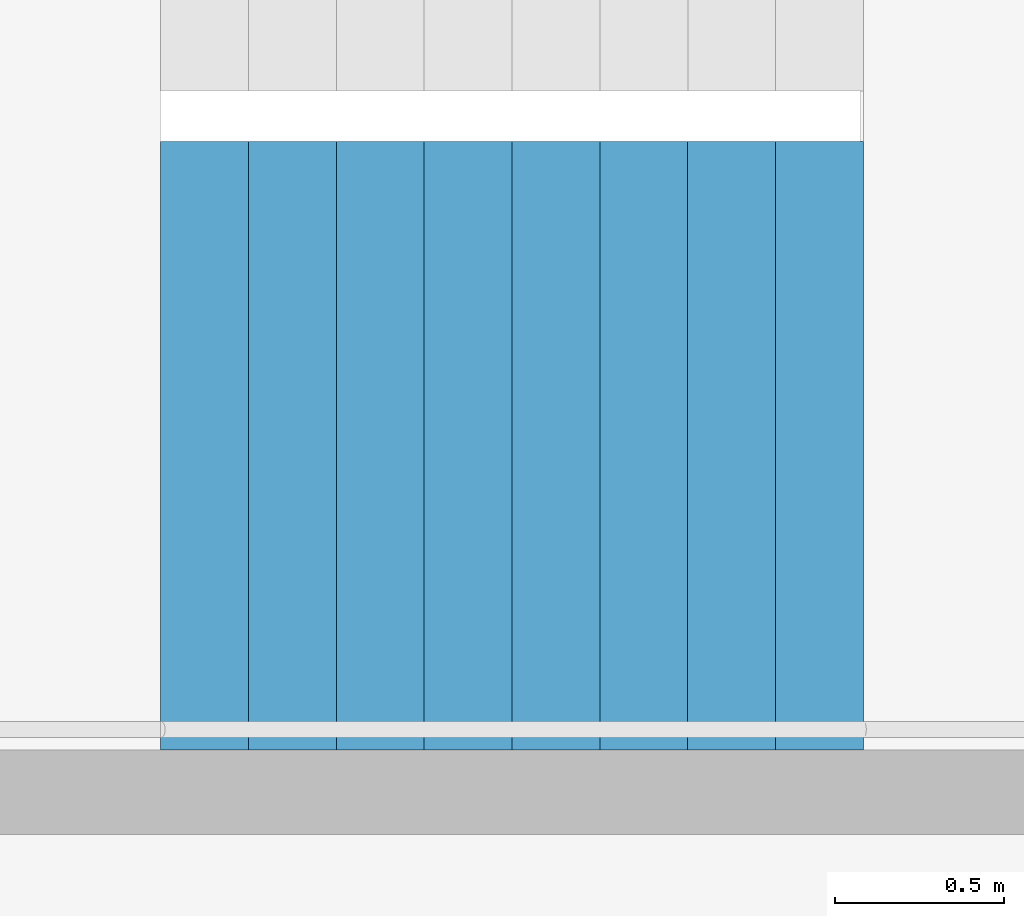
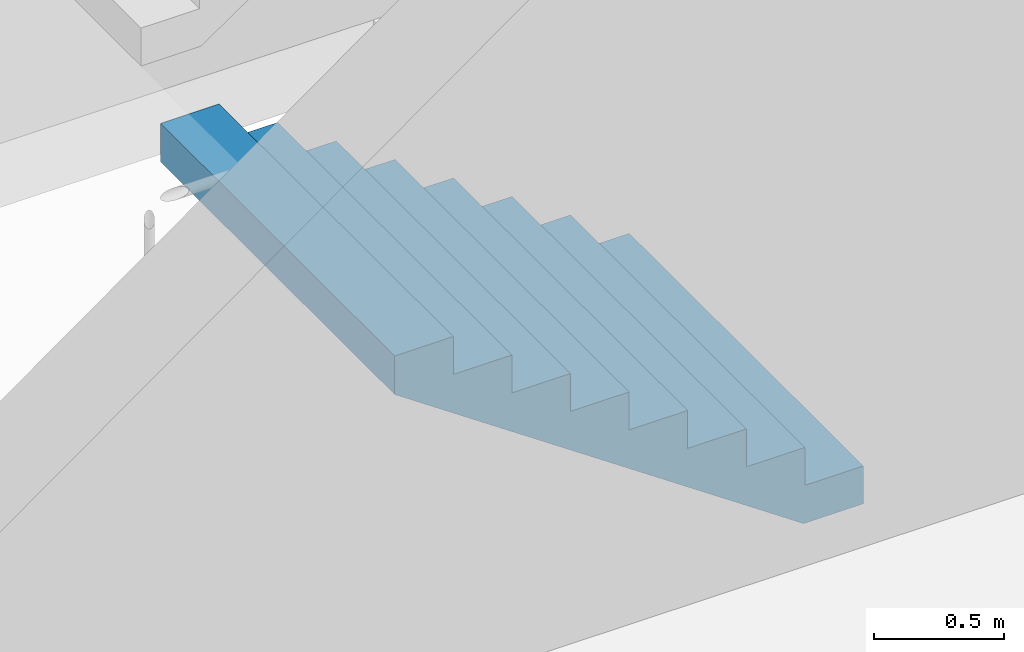
# One storey, part 28 of 42: 1 stair flight, 1 element without a shape of its own.
"""IFC4 building model written with IfcOpenShell, lengths in metres."""

from ifc_helpers import new_model, si_unit, direction, frame, origin, place, context, subcontext, project, spatial, triangles, material, type_object, element, aggregate, save


model = new_model("IFC4")

# Units and contexts
model_context = context("Model", 3, precision=1e-05, world=origin(), true_north=direction((0.0, 1.0)))
body_context = subcontext(model_context, "Body", "Model", "MODEL_VIEW")
ifc_project = project(units=[si_unit("LENGTHUNIT", "METRE"), si_unit("AREAUNIT", "SQUARE_METRE"), si_unit("VOLUMEUNIT", "CUBIC_METRE"), si_unit("PLANEANGLEUNIT", "RADIAN"), si_unit("MASSUNIT", "GRAM", prefix="KILO")], contexts=[model_context])

# Site, building, storey
site_placement = place(None, origin())
site = spatial("IfcSite", under=ifc_project, at=site_placement, CompositionType="ELEMENT")
building_placement = place(site_placement, origin())
building = spatial("IfcBuilding", under=site, at=building_placement, Name="Hakoniwa Tower and Hamabe Station Hall", CompositionType="ELEMENT")
storey_placement = place(building_placement, frame((0.0, 0.0, 232.60009765625)))
storey = spatial("IfcBuildingStorey", under=building, at=storey_placement, Name="L66", CompositionType="ELEMENT", Elevation=232.60009765625)

# Stair, stair flight
ifc_material_1 = material(Name="Concrete C40", Category="concrete")
stair_type = type_object("IfcStairType", Name="ESCAPE STAIR 1800", PredefinedType="HALF_TURN_STAIR", material=ifc_material_1)
stair_placement = place(storey_placement, origin())
stair = element("IfcStair", 1, at=stair_placement, inside=storey, type_object=stair_type, Name="Escape stair ST-3 L66", PredefinedType="HALF_TURN_STAIR")
ifc_material_2 = material(Name="Concrete C40", Category="concrete")
stair_flight_type = type_object("IfcStairFlightType", Name="STAIR FLIGHT 1800", PredefinedType="STRAIGHT", material=ifc_material_2)
stair_flight_placement = place(storey_placement, frame((24.39990234375, 4.64990234375, 0.0), z_axis=(0.0, 0.0, 1.0), x_axis=(-1.0, 0.0, 0.0)))
stair_flight = element("IfcStairFlight", 2, at=stair_flight_placement, type_object=stair_flight_type, Name="ST-3 flight 1", NumberOfRisers=9, NumberOfTreads=8, PredefinedType="STRAIGHT", RiserHeight=0.177777778, TreadLength=0.26, context=body_context, shape_type="Tessellation", body=[
    triangles([(0.0, 0.89990234375, 0.0), (0.260009765625, 0.89990234375, 0.0), (0.265625, 0.89990234375, 0.0), (0.52001953125, 0.89990234375, 0.174072265625), (0.780029296875, 0.89990234375, 0.351806640625), (1.0400390625, 0.89990234375, 0.529541015625), (1.300048828125, 0.89990234375, 0.707275390625), (1.56005859375, 0.89990234375, 0.885009765625), (1.820068359375, 0.89990234375, 1.062744140625), (2.080078125, 0.89990234375, 1.24072265625), (2.080078125, 0.89990234375, 1.422119140625), (1.820068359375, 0.89990234375, 1.422119140625), (1.820068359375, 0.89990234375, 1.244384765625), (1.56005859375, 0.89990234375, 1.244384765625), (1.56005859375, 0.89990234375, 1.066650390625), (1.300048828125, 0.89990234375, 1.066650390625), (1.300048828125, 0.89990234375, 0.888916015625), (1.0400390625, 0.89990234375, 0.888916015625), (1.0400390625, 0.89990234375, 0.711181640625), (0.780029296875, 0.89990234375, 0.711181640625), (0.780029296875, 0.89990234375, 0.533447265625), (0.52001953125, 0.89990234375, 0.533447265625), (0.52001953125, 0.89990234375, 0.35546875), (0.265625, 0.89990234375, 0.35546875), (0.260009765625, 0.89990234375, 0.35546875), (0.260009765625, 0.89990234375, 0.177734375), (0.0, 0.89990234375, 0.177734375), (0.0, 0.06005859375, 0.0), (0.260009765625, 0.06005859375, 0.0), (0.265625, 0.06005859375, 0.0), (0.52001953125, 0.06005859375, 0.174072265625), (0.780029296875, 0.06005859375, 0.351806640625), (1.0400390625, 0.06005859375, 0.529541015625), (1.300048828125, 0.06005859375, 0.707275390625), (1.56005859375, 0.06005859375, 0.885009765625), (1.820068359375, 0.06005859375, 1.062744140625), (2.080078125, 0.06005859375, 1.24072265625), (2.080078125, 0.06005859375, 1.422119140625), (1.820068359375, 0.06005859375, 1.422119140625), (1.820068359375, 0.06005859375, 1.244384765625), (1.56005859375, 0.06005859375, 1.244384765625), (1.56005859375, 0.06005859375, 1.066650390625), (1.300048828125, 0.06005859375, 1.066650390625), (1.300048828125, 0.06005859375, 0.888916015625), (1.0400390625, 0.06005859375, 0.888916015625), (1.0400390625, 0.06005859375, 0.711181640625), (0.780029296875, 0.06005859375, 0.711181640625), (0.780029296875, 0.06005859375, 0.533447265625), (0.52001953125, 0.06005859375, 0.533447265625), (0.52001953125, 0.06005859375, 0.35546875), (0.265625, 0.06005859375, 0.35546875), (0.260009765625, 0.06005859375, 0.35546875), (0.260009765625, 0.06005859375, 0.177734375), (0.0, 0.06005859375, 0.177734375), (0.0, 0.04296875, 0.0), (0.260009765625, 0.04296875, 0.0), (0.265625, 0.04296875, 0.0), (0.52001953125, 0.04296875, 0.174072265625), (0.780029296875, 0.04296875, 0.351806640625), (1.0400390625, 0.04296875, 0.529541015625), (1.300048828125, 0.04296875, 0.707275390625), (1.56005859375, 0.04296875, 0.885009765625), (1.820068359375, 0.04296875, 1.062744140625), (2.080078125, 0.04296875, 1.24072265625), (2.080078125, 0.04296875, 1.422119140625), (1.820068359375, 0.04296875, 1.422119140625), (1.820068359375, 0.04296875, 1.244384765625), (1.56005859375, 0.04296875, 1.244384765625), (1.56005859375, 0.04296875, 1.066650390625), (1.300048828125, 0.04296875, 1.066650390625), (1.300048828125, 0.04296875, 0.888916015625), (1.0400390625, 0.04296875, 0.888916015625), (1.0400390625, 0.04296875, 0.711181640625), (0.780029296875, 0.04296875, 0.711181640625), (0.780029296875, 0.04296875, 0.533447265625), (0.52001953125, 0.04296875, 0.533447265625), (0.52001953125, 0.04296875, 0.35546875), (0.265625, 0.04296875, 0.35546875), (0.260009765625, 0.04296875, 0.35546875), (0.260009765625, 0.04296875, 0.177734375), (0.0, 0.04296875, 0.177734375), (0.0, 0.025634765625, 0.0), (0.260009765625, 0.025634765625, 0.0), (0.265625, 0.025634765625, 0.0), (0.52001953125, 0.025634765625, 0.174072265625), (0.780029296875, 0.025634765625, 0.351806640625), (1.0400390625, 0.025634765625, 0.529541015625), (1.300048828125, 0.025634765625, 0.707275390625), (1.56005859375, 0.025634765625, 0.885009765625), (1.820068359375, 0.025634765625, 1.062744140625), (2.080078125, 0.025634765625, 1.24072265625), (2.080078125, 0.025634765625, 1.422119140625), (1.820068359375, 0.025634765625, 1.422119140625), (1.820068359375, 0.025634765625, 1.244384765625), (1.56005859375, 0.025634765625, 1.244384765625), (1.56005859375, 0.025634765625, 1.066650390625), (1.300048828125, 0.025634765625, 1.066650390625), (1.300048828125, 0.025634765625, 0.888916015625), (1.0400390625, 0.025634765625, 0.888916015625), (1.0400390625, 0.025634765625, 0.711181640625), (0.780029296875, 0.025634765625, 0.711181640625), (0.780029296875, 0.025634765625, 0.533447265625), (0.52001953125, 0.025634765625, 0.533447265625), (0.52001953125, 0.025634765625, 0.35546875), (0.265625, 0.025634765625, 0.35546875), (0.260009765625, 0.025634765625, 0.35546875), (0.260009765625, 0.025634765625, 0.177734375), (0.0, 0.025634765625, 0.177734375), (0.0, 0.008544921875, 0.0), (0.260009765625, 0.008544921875, 0.0), (0.265625, 0.008544921875, 0.0), (0.52001953125, 0.008544921875, 0.174072265625), (0.780029296875, 0.008544921875, 0.351806640625), (1.0400390625, 0.008544921875, 0.529541015625), (1.300048828125, 0.008544921875, 0.707275390625), (1.56005859375, 0.008544921875, 0.885009765625), (1.820068359375, 0.008544921875, 1.062744140625), (2.080078125, 0.008544921875, 1.24072265625), (2.080078125, 0.008544921875, 1.422119140625), (1.820068359375, 0.008544921875, 1.422119140625), (1.820068359375, 0.008544921875, 1.244384765625), (1.56005859375, 0.008544921875, 1.244384765625), (1.56005859375, 0.008544921875, 1.066650390625), (1.300048828125, 0.008544921875, 1.066650390625), (1.300048828125, 0.008544921875, 0.888916015625), (1.0400390625, 0.008544921875, 0.888916015625), (1.0400390625, 0.008544921875, 0.711181640625), (0.780029296875, 0.008544921875, 0.711181640625), (0.780029296875, 0.008544921875, 0.533447265625), (0.52001953125, 0.008544921875, 0.533447265625), (0.52001953125, 0.008544921875, 0.35546875), (0.265625, 0.008544921875, 0.35546875), (0.260009765625, 0.008544921875, 0.35546875), (0.260009765625, 0.008544921875, 0.177734375), (0.0, 0.008544921875, 0.177734375), (0.0, -0.008544921875, 0.0), (0.260009765625, -0.008544921875, 0.0), (0.265625, -0.008544921875, 0.0), (0.52001953125, -0.008544921875, 0.174072265625), (0.780029296875, -0.008544921875, 0.351806640625), (1.0400390625, -0.008544921875, 0.529541015625), (1.300048828125, -0.008544921875, 0.707275390625), (1.56005859375, -0.008544921875, 0.885009765625), (1.820068359375, -0.008544921875, 1.062744140625), (2.080078125, -0.008544921875, 1.24072265625), (2.080078125, -0.008544921875, 1.422119140625), (1.820068359375, -0.008544921875, 1.422119140625), (1.820068359375, -0.008544921875, 1.244384765625), (1.56005859375, -0.008544921875, 1.244384765625), (1.56005859375, -0.008544921875, 1.066650390625), (1.300048828125, -0.008544921875, 1.066650390625), (1.300048828125, -0.008544921875, 0.888916015625), (1.0400390625, -0.008544921875, 0.888916015625), (1.0400390625, -0.008544921875, 0.711181640625), (0.780029296875, -0.008544921875, 0.711181640625), (0.780029296875, -0.008544921875, 0.533447265625), (0.52001953125, -0.008544921875, 0.533447265625), (0.52001953125, -0.008544921875, 0.35546875), (0.265625, -0.008544921875, 0.35546875), (0.260009765625, -0.008544921875, 0.35546875), (0.260009765625, -0.008544921875, 0.177734375), (0.0, -0.008544921875, 0.177734375), (0.0, -0.025634765625, 0.0), (0.260009765625, -0.025634765625, 0.0), (0.265625, -0.025634765625, 0.0), (0.52001953125, -0.025634765625, 0.174072265625), (0.780029296875, -0.025634765625, 0.351806640625), (1.0400390625, -0.025634765625, 0.529541015625), (1.300048828125, -0.025634765625, 0.707275390625), (1.56005859375, -0.025634765625, 0.885009765625), (1.820068359375, -0.025634765625, 1.062744140625), (2.080078125, -0.025634765625, 1.24072265625), (2.080078125, -0.025634765625, 1.422119140625), (1.820068359375, -0.025634765625, 1.422119140625), (1.820068359375, -0.025634765625, 1.244384765625), (1.56005859375, -0.025634765625, 1.244384765625), (1.56005859375, -0.025634765625, 1.066650390625), (1.300048828125, -0.025634765625, 1.066650390625), (1.300048828125, -0.025634765625, 0.888916015625), (1.0400390625, -0.025634765625, 0.888916015625), (1.0400390625, -0.025634765625, 0.711181640625), (0.780029296875, -0.025634765625, 0.711181640625), (0.780029296875, -0.025634765625, 0.533447265625), (0.52001953125, -0.025634765625, 0.533447265625), (0.52001953125, -0.025634765625, 0.35546875), (0.265625, -0.025634765625, 0.35546875), (0.260009765625, -0.025634765625, 0.35546875), (0.260009765625, -0.025634765625, 0.177734375), (0.0, -0.025634765625, 0.177734375), (0.0, -0.04296875, 0.0), (0.260009765625, -0.04296875, 0.0), (0.265625, -0.04296875, 0.0), (0.52001953125, -0.04296875, 0.174072265625), (0.780029296875, -0.04296875, 0.351806640625), (1.0400390625, -0.04296875, 0.529541015625), (1.300048828125, -0.04296875, 0.707275390625), (1.56005859375, -0.04296875, 0.885009765625), (1.820068359375, -0.04296875, 1.062744140625), (2.080078125, -0.04296875, 1.24072265625), (2.080078125, -0.04296875, 1.422119140625), (1.820068359375, -0.04296875, 1.422119140625), (1.820068359375, -0.04296875, 1.244384765625), (1.56005859375, -0.04296875, 1.244384765625), (1.56005859375, -0.04296875, 1.066650390625), (1.300048828125, -0.04296875, 1.066650390625), (1.300048828125, -0.04296875, 0.888916015625), (1.0400390625, -0.04296875, 0.888916015625), (1.0400390625, -0.04296875, 0.711181640625), (0.780029296875, -0.04296875, 0.711181640625), (0.780029296875, -0.04296875, 0.533447265625), (0.52001953125, -0.04296875, 0.533447265625), (0.52001953125, -0.04296875, 0.35546875), (0.265625, -0.04296875, 0.35546875), (0.260009765625, -0.04296875, 0.35546875), (0.260009765625, -0.04296875, 0.177734375), (0.0, -0.04296875, 0.177734375), (0.0, -0.06005859375, 0.0), (0.260009765625, -0.06005859375, 0.0), (0.265625, -0.06005859375, 0.0), (0.52001953125, -0.06005859375, 0.174072265625), (0.780029296875, -0.06005859375, 0.351806640625), (1.0400390625, -0.06005859375, 0.529541015625), (1.300048828125, -0.06005859375, 0.707275390625), (1.56005859375, -0.06005859375, 0.885009765625), (1.820068359375, -0.06005859375, 1.062744140625), (2.080078125, -0.06005859375, 1.24072265625), (2.080078125, -0.06005859375, 1.422119140625), (1.820068359375, -0.06005859375, 1.422119140625), (1.820068359375, -0.06005859375, 1.244384765625), (1.56005859375, -0.06005859375, 1.244384765625), (1.56005859375, -0.06005859375, 1.066650390625), (1.300048828125, -0.06005859375, 1.066650390625), (1.300048828125, -0.06005859375, 0.888916015625), (1.0400390625, -0.06005859375, 0.888916015625), (1.0400390625, -0.06005859375, 0.711181640625), (0.780029296875, -0.06005859375, 0.711181640625), (0.780029296875, -0.06005859375, 0.533447265625), (0.52001953125, -0.06005859375, 0.533447265625), (0.52001953125, -0.06005859375, 0.35546875), (0.265625, -0.06005859375, 0.35546875), (0.260009765625, -0.06005859375, 0.35546875), (0.260009765625, -0.06005859375, 0.177734375), (0.0, -0.06005859375, 0.177734375), (0.0, -0.89990234375, 0.0), (0.260009765625, -0.89990234375, 0.0), (0.265625, -0.89990234375, 0.0), (0.52001953125, -0.89990234375, 0.174072265625), (0.780029296875, -0.89990234375, 0.351806640625), (1.0400390625, -0.89990234375, 0.529541015625), (1.300048828125, -0.89990234375, 0.707275390625), (1.56005859375, -0.89990234375, 0.885009765625), (1.820068359375, -0.89990234375, 1.062744140625), (2.080078125, -0.89990234375, 1.24072265625), (2.080078125, -0.89990234375, 1.422119140625), (1.820068359375, -0.89990234375, 1.422119140625), (1.820068359375, -0.89990234375, 1.244384765625), (1.56005859375, -0.89990234375, 1.244384765625), (1.56005859375, -0.89990234375, 1.066650390625), (1.300048828125, -0.89990234375, 1.066650390625), (1.300048828125, -0.89990234375, 0.888916015625), (1.0400390625, -0.89990234375, 0.888916015625), (1.0400390625, -0.89990234375, 0.711181640625), (0.780029296875, -0.89990234375, 0.711181640625), (0.780029296875, -0.89990234375, 0.533447265625), (0.52001953125, -0.89990234375, 0.533447265625), (0.52001953125, -0.89990234375, 0.35546875), (0.265625, -0.89990234375, 0.35546875), (0.260009765625, -0.89990234375, 0.35546875), (0.260009765625, -0.89990234375, 0.177734375), (0.0, -0.89990234375, 0.177734375)], [[2, 27, 26], [245, 269, 270], [2, 1, 27], [245, 270, 244], [3, 25, 24], [246, 267, 268], [3, 26, 25], [246, 268, 269], [3, 2, 26], [246, 269, 245], [4, 24, 23], [247, 266, 267], [4, 3, 24], [247, 267, 246], [5, 22, 21], [248, 264, 265], [5, 23, 22], [248, 265, 266], [5, 4, 23], [248, 266, 247], [6, 20, 19], [249, 262, 263], [6, 21, 20], [249, 263, 264], [6, 5, 21], [249, 264, 248], [7, 18, 17], [250, 260, 261], [7, 19, 18], [250, 261, 262], [7, 6, 19], [250, 262, 249], [8, 16, 15], [251, 258, 259], [8, 17, 16], [251, 259, 260], [8, 7, 17], [251, 260, 250], [9, 14, 13], [252, 256, 257], [9, 15, 14], [252, 257, 258], [9, 8, 15], [252, 258, 251], [10, 12, 11], [253, 254, 255], [10, 13, 12], [253, 255, 256], [10, 9, 13], [253, 256, 252], [1, 2, 29], [1, 29, 28], [28, 29, 56], [28, 56, 55], [55, 56, 83], [55, 83, 82], [82, 83, 110], [82, 110, 109], [109, 110, 137], [109, 137, 136], [136, 137, 164], [136, 164, 163], [163, 164, 191], [163, 191, 190], [190, 191, 218], [190, 218, 217], [217, 218, 245], [217, 245, 244], [2, 3, 30], [2, 30, 29], [29, 30, 57], [29, 57, 56], [56, 57, 84], [56, 84, 83], [83, 84, 111], [83, 111, 110], [110, 111, 138], [110, 138, 137], [137, 138, 165], [137, 165, 164], [164, 165, 192], [164, 192, 191], [191, 192, 219], [191, 219, 218], [218, 219, 246], [218, 246, 245], [3, 4, 31], [3, 31, 30], [30, 31, 58], [30, 58, 57], [57, 58, 85], [57, 85, 84], [84, 85, 112], [84, 112, 111], [111, 112, 139], [111, 139, 138], [138, 139, 166], [138, 166, 165], [165, 166, 193], [165, 193, 192], [192, 193, 220], [192, 220, 219], [219, 220, 247], [219, 247, 246], [4, 5, 32], [4, 32, 31], [31, 32, 59], [31, 59, 58], [58, 59, 86], [58, 86, 85], [85, 86, 113], [85, 113, 112], [112, 113, 140], [112, 140, 139], [139, 140, 167], [139, 167, 166], [166, 167, 194], [166, 194, 193], [193, 194, 221], [193, 221, 220], [220, 221, 248], [220, 248, 247], [5, 6, 33], [5, 33, 32], [32, 33, 60], [32, 60, 59], [59, 60, 87], [59, 87, 86], [86, 87, 114], [86, 114, 113], [113, 114, 141], [113, 141, 140], [140, 141, 168], [140, 168, 167], [167, 168, 195], [167, 195, 194], [194, 195, 222], [194, 222, 221], [221, 222, 249], [221, 249, 248], [6, 7, 34], [6, 34, 33], [33, 34, 61], [33, 61, 60], [60, 61, 88], [60, 88, 87], [87, 88, 115], [87, 115, 114], [114, 115, 142], [114, 142, 141], [141, 142, 169], [141, 169, 168], [168, 169, 196], [168, 196, 195], [195, 196, 223], [195, 223, 222], [222, 223, 250], [222, 250, 249], [7, 8, 35], [7, 35, 34], [34, 35, 62], [34, 62, 61], [61, 62, 89], [61, 89, 88], [88, 89, 116], [88, 116, 115], [115, 116, 143], [115, 143, 142], [142, 143, 170], [142, 170, 169], [169, 170, 197], [169, 197, 196], [196, 197, 224], [196, 224, 223], [223, 224, 251], [223, 251, 250], [8, 9, 36], [8, 36, 35], [35, 36, 63], [35, 63, 62], [62, 63, 90], [62, 90, 89], [89, 90, 117], [89, 117, 116], [116, 117, 144], [116, 144, 143], [143, 144, 171], [143, 171, 170], [170, 171, 198], [170, 198, 197], [197, 198, 225], [197, 225, 224], [224, 225, 252], [224, 252, 251], [9, 10, 37], [9, 37, 36], [36, 37, 64], [36, 64, 63], [63, 64, 91], [63, 91, 90], [90, 91, 118], [90, 118, 117], [117, 118, 145], [117, 145, 144], [144, 145, 172], [144, 172, 171], [171, 172, 199], [171, 199, 198], [198, 199, 226], [198, 226, 225], [225, 226, 253], [225, 253, 252], [10, 11, 38], [10, 38, 37], [37, 38, 65], [37, 65, 64], [64, 65, 92], [64, 92, 91], [91, 92, 119], [91, 119, 118], [118, 119, 146], [118, 146, 145], [145, 146, 173], [145, 173, 172], [172, 173, 200], [172, 200, 199], [199, 200, 227], [199, 227, 226], [226, 227, 254], [226, 254, 253], [11, 12, 39], [11, 39, 38], [38, 39, 66], [38, 66, 65], [65, 66, 93], [65, 93, 92], [92, 93, 120], [92, 120, 119], [119, 120, 147], [119, 147, 146], [146, 147, 174], [146, 174, 173], [173, 174, 201], [173, 201, 200], [200, 201, 228], [200, 228, 227], [227, 228, 255], [227, 255, 254], [12, 13, 40], [12, 40, 39], [39, 40, 67], [39, 67, 66], [66, 67, 94], [66, 94, 93], [93, 94, 121], [93, 121, 120], [120, 121, 148], [120, 148, 147], [147, 148, 175], [147, 175, 174], [174, 175, 202], [174, 202, 201], [201, 202, 229], [201, 229, 228], [228, 229, 256], [228, 256, 255], [13, 14, 41], [13, 41, 40], [40, 41, 68], [40, 68, 67], [67, 68, 95], [67, 95, 94], [94, 95, 122], [94, 122, 121], [121, 122, 149], [121, 149, 148], [148, 149, 176], [148, 176, 175], [175, 176, 203], [175, 203, 202], [202, 203, 230], [202, 230, 229], [229, 230, 257], [229, 257, 256], [14, 15, 42], [14, 42, 41], [41, 42, 69], [41, 69, 68], [68, 69, 96], [68, 96, 95], [95, 96, 123], [95, 123, 122], [122, 123, 150], [122, 150, 149], [149, 150, 177], [149, 177, 176], [176, 177, 204], [176, 204, 203], [203, 204, 231], [203, 231, 230], [230, 231, 258], [230, 258, 257], [15, 16, 43], [15, 43, 42], [42, 43, 70], [42, 70, 69], [69, 70, 97], [69, 97, 96], [96, 97, 124], [96, 124, 123], [123, 124, 151], [123, 151, 150], [150, 151, 178], [150, 178, 177], [177, 178, 205], [177, 205, 204], [204, 205, 232], [204, 232, 231], [231, 232, 259], [231, 259, 258], [16, 17, 44], [16, 44, 43], [43, 44, 71], [43, 71, 70], [70, 71, 98], [70, 98, 97], [97, 98, 125], [97, 125, 124], [124, 125, 152], [124, 152, 151], [151, 152, 179], [151, 179, 178], [178, 179, 206], [178, 206, 205], [205, 206, 233], [205, 233, 232], [232, 233, 260], [232, 260, 259], [17, 18, 45], [17, 45, 44], [44, 45, 72], [44, 72, 71], [71, 72, 99], [71, 99, 98], [98, 99, 126], [98, 126, 125], [125, 126, 153], [125, 153, 152], [152, 153, 180], [152, 180, 179], [179, 180, 207], [179, 207, 206], [206, 207, 234], [206, 234, 233], [233, 234, 261], [233, 261, 260], [18, 19, 46], [18, 46, 45], [45, 46, 73], [45, 73, 72], [72, 73, 100], [72, 100, 99], [99, 100, 127], [99, 127, 126], [126, 127, 154], [126, 154, 153], [153, 154, 181], [153, 181, 180], [180, 181, 208], [180, 208, 207], [207, 208, 235], [207, 235, 234], [234, 235, 262], [234, 262, 261], [19, 20, 47], [19, 47, 46], [46, 47, 74], [46, 74, 73], [73, 74, 101], [73, 101, 100], [100, 101, 128], [100, 128, 127], [127, 128, 155], [127, 155, 154], [154, 155, 182], [154, 182, 181], [181, 182, 209], [181, 209, 208], [208, 209, 236], [208, 236, 235], [235, 236, 263], [235, 263, 262], [20, 21, 48], [20, 48, 47], [47, 48, 75], [47, 75, 74], [74, 75, 102], [74, 102, 101], [101, 102, 129], [101, 129, 128], [128, 129, 156], [128, 156, 155], [155, 156, 183], [155, 183, 182], [182, 183, 210], [182, 210, 209], [209, 210, 237], [209, 237, 236], [236, 237, 264], [236, 264, 263], [21, 22, 49], [21, 49, 48], [48, 49, 76], [48, 76, 75], [75, 76, 103], [75, 103, 102], [102, 103, 130], [102, 130, 129], [129, 130, 157], [129, 157, 156], [156, 157, 184], [156, 184, 183], [183, 184, 211], [183, 211, 210], [210, 211, 238], [210, 238, 237], [237, 238, 265], [237, 265, 264], [22, 23, 50], [22, 50, 49], [49, 50, 77], [49, 77, 76], [76, 77, 104], [76, 104, 103], [103, 104, 131], [103, 131, 130], [130, 131, 158], [130, 158, 157], [157, 158, 185], [157, 185, 184], [184, 185, 212], [184, 212, 211], [211, 212, 239], [211, 239, 238], [238, 239, 266], [238, 266, 265], [23, 24, 51], [23, 51, 50], [50, 51, 78], [50, 78, 77], [77, 78, 105], [77, 105, 104], [104, 105, 132], [104, 132, 131], [131, 132, 159], [131, 159, 158], [158, 159, 186], [158, 186, 185], [185, 186, 213], [185, 213, 212], [212, 213, 240], [212, 240, 239], [239, 240, 267], [239, 267, 266], [24, 25, 52], [24, 52, 51], [51, 52, 79], [51, 79, 78], [78, 79, 106], [78, 106, 105], [105, 106, 133], [105, 133, 132], [132, 133, 160], [132, 160, 159], [159, 160, 187], [159, 187, 186], [186, 187, 214], [186, 214, 213], [213, 214, 241], [213, 241, 240], [240, 241, 268], [240, 268, 267], [25, 26, 53], [25, 53, 52], [52, 53, 80], [52, 80, 79], [79, 80, 107], [79, 107, 106], [106, 107, 134], [106, 134, 133], [133, 134, 161], [133, 161, 160], [160, 161, 188], [160, 188, 187], [187, 188, 215], [187, 215, 214], [214, 215, 242], [214, 242, 241], [241, 242, 269], [241, 269, 268], [26, 27, 54], [26, 54, 53], [53, 54, 81], [53, 81, 80], [80, 81, 108], [80, 108, 107], [107, 108, 135], [107, 135, 134], [134, 135, 162], [134, 162, 161], [161, 162, 189], [161, 189, 188], [188, 189, 216], [188, 216, 215], [215, 216, 243], [215, 243, 242], [242, 243, 270], [242, 270, 269], [27, 1, 28], [27, 28, 54], [54, 28, 55], [54, 55, 81], [81, 55, 82], [81, 82, 108], [108, 82, 109], [108, 109, 135], [135, 109, 136], [135, 136, 162], [162, 136, 163], [162, 163, 189], [189, 163, 190], [189, 190, 216], [216, 190, 217], [216, 217, 243], [243, 217, 244], [243, 244, 270]], closed=True),
])
aggregate(stair, [stair_flight])

save(model, "model.ifc")
